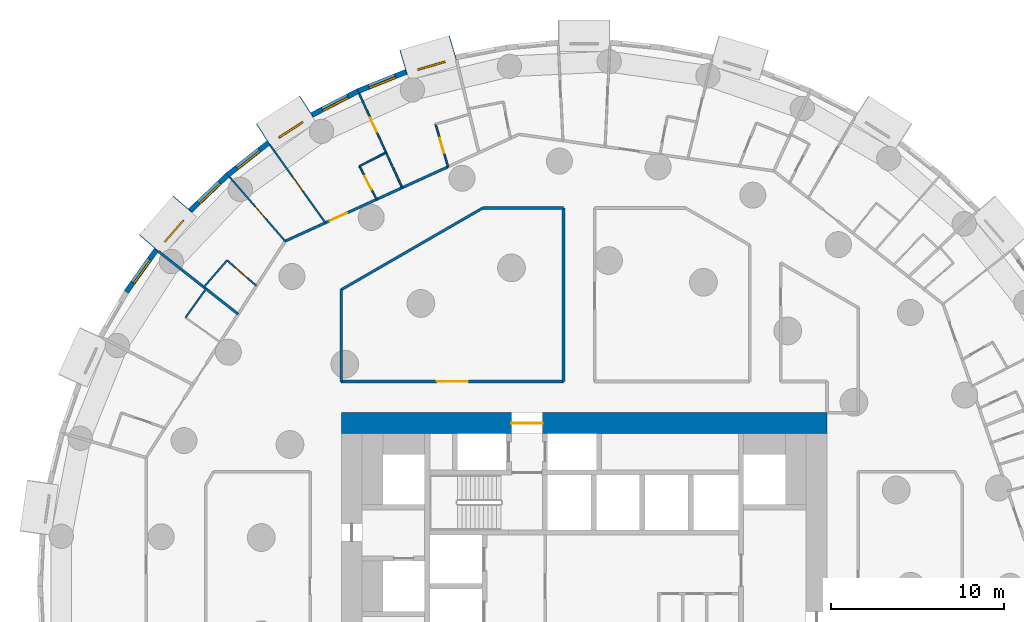
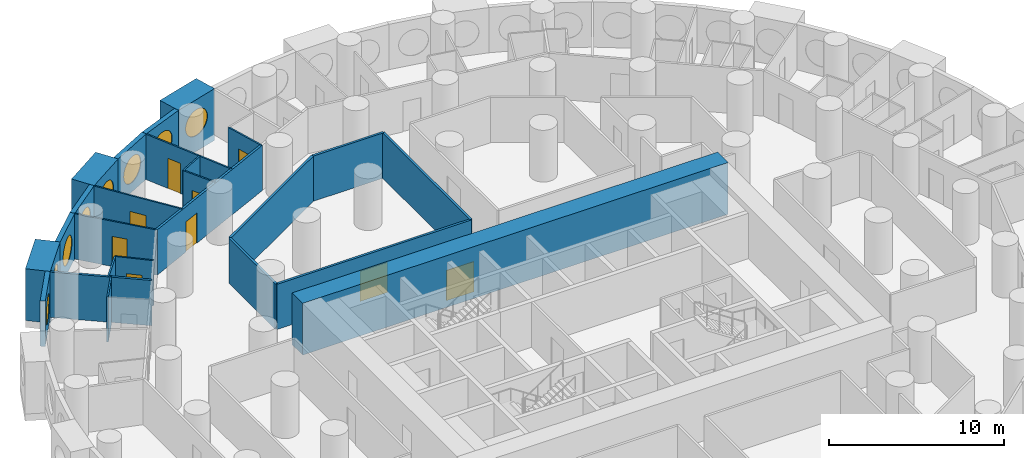
# One storey, part 7 of 12: 26 walls, 9 doors, 8 windows, 17 openings.
"""IFC4 building model written with IfcOpenShell, lengths in metres."""

from ifc_helpers import new_model, si_unit, direction, frame, frame_2d, origin, origin_2d, place, context, subcontext, project, spatial, rectangle, circle, extrude, material, layer, layer_set, type_object, element, fill, save


model = new_model("IFC4")

# Units and contexts
model_context = context("Model", 3, precision=1e-05, world=origin(), true_north=direction((0.0, 1.0)))
body_context = subcontext(model_context, "Body", "Model", "MODEL_VIEW")
ifc_project = project(units=[si_unit("LENGTHUNIT", "METRE"), si_unit("AREAUNIT", "SQUARE_METRE"), si_unit("VOLUMEUNIT", "CUBIC_METRE"), si_unit("PLANEANGLEUNIT", "RADIAN"), si_unit("MASSUNIT", "GRAM", prefix="KILO")], contexts=[model_context])

# Site, building, storey
site_placement = place(None, origin())
site = spatial("IfcSite", under=ifc_project, at=site_placement, CompositionType="ELEMENT")
building_placement = place(site_placement, origin())
building = spatial("IfcBuilding", under=site, at=building_placement, Name="Tracery Tower", CompositionType="ELEMENT")
storey_placement = place(building_placement, frame((0.0, 0.0, 46.199951171875)))
storey = spatial("IfcBuildingStorey", under=building, at=storey_placement, Name="L10", CompositionType="ELEMENT", Elevation=46.199951171875)

# Wall, opening, door
ifc_material_1 = material(Name="Concrete C60/75", Category="concrete")
ifc_layer_1 = layer(ifc_material_1, 1.199951171875)
ifc_layer_set_1 = layer_set([ifc_layer_1], Name="Core wall 1200 C60")
wall_type_1 = type_object("IfcWallType", Name="Core wall 1200 C60", PredefinedType="SOLIDWALL", material=ifc_layer_set_1)
wall_1_placement = place(storey_placement, frame((-14.0, 9.39990234375, 0.0), z_axis=(0.0, 0.0, 1.0), x_axis=(1.0, 0.0, 0.0)))
wall_1 = element("IfcWall", 1, at=wall_1_placement, inside=storey, type_object=wall_type_1, Name="L10 outer N", PredefinedType="SOLIDWALL", context=body_context, shape_type="SweptSolid", body=[
    extrude(rectangle(XDim=28.0, YDim=1.199951171875, at=frame_2d((14.0, 0.0))), origin(), (0.0, 0.0, 1.0), 3.60009765625),
])
opening_1_placement = place(wall_1_placement, frame((9.800048828125, 0.0, 0.0)))
opening_1 = element("IfcOpeningElement", 2, at=opening_1_placement, cuts=wall_1, Name="Opening KD13", PredefinedType="OPENING", context=body_context, shape_type="SweptSolid", body=[
    extrude(rectangle(XDim=1.800048828125, YDim=2.10009765625, at=frame_2d((0.89990234375, 1.050048828125))), frame((0.0, 0.60009765625, 0.0), z_axis=(0.0, -1.0, 0.0), x_axis=(1.0, 0.0, 0.0)), (0.0, 0.0, 1.0), 1.199951171875),
])
ifc_material_2 = material(Name="Steel fire door", Category="steel")
door_type_1 = type_object("IfcDoorType", Name="Core exit door 1800 double", OperationType="NOTDEFINED", PredefinedType="DOOR", material=ifc_material_2)
door_1_placement = place(opening_1_placement, origin())
door_1 = element("IfcDoor", 3, at=door_1_placement, inside=storey, type_object=door_type_1, Name="Core exit door", OperationType="DOUBLE_DOOR_SINGLE_SWING", OverallHeight=2.10009765625, OverallWidth=1.800048828125, PredefinedType="DOOR", context=body_context, shape_type="SweptSolid", body=[
    extrude(rectangle(XDim=1.800048828125, YDim=2.10009765625, at=frame_2d((0.89990234375, 1.050048828125))), frame((0.0, 0.02490234375, 0.0), z_axis=(0.0, -1.0, 0.0), x_axis=(1.0, 0.0, 0.0)), (0.0, 0.0, 1.0), 0.050048828125),
])
fill(opening_1, door_1)

# Wall, opening, window
ifc_material_3 = material(Name="Precast concrete C50/60", Category="concrete")
ifc_layer_2 = layer(ifc_material_3, 1.449951171875)
ifc_layer_set_2 = layer_set([ifc_layer_2], Name="Deep-set bay unit 3000 x 3600, slab edge 450")
wall_type_2 = type_object("IfcWallType", Name="Deep-set bay unit 3000 x 3600, slab edge 450", PredefinedType="ELEMENTEDWALL", material=ifc_layer_set_2)
wall_2_placement = place(storey_placement, frame((-7.552001953125, 31.043701171875, -0.449951171875), z_axis=(0.0, 0.0, 1.0), x_axis=(-0.959489813418, -0.281743319258, 0.0)))
wall_2 = element("IfcWall", 4, at=wall_2_placement, inside=storey, type_object=wall_type_2, Name="Deep-set bay unit 20 at L10", PredefinedType="ELEMENTEDWALL", context=body_context, shape_type="SweptSolid", body=[
    extrude(rectangle(XDim=3.0, YDim=1.449951171875, at=frame_2d((1.5, 0.0))), origin(), (0.0, 0.0, 1.0), 3.60009765625),
])
opening_2_placement = place(wall_2_placement, frame((1.5, 0.0, 2.0)))
opening_2 = element("IfcOpeningElement", 5, at=opening_2_placement, cuts=wall_2, Name="Opening WN1", PredefinedType="OPENING", context=body_context, shape_type="SweptSolid", body=[
    extrude(circle(Radius=0.9000244140625, at=origin_2d()), frame((0.0, 0.73486328125, 0.0), z_axis=(0.0, -1.0, 0.0), x_axis=(1.0, 0.0, 0.0)), (0.0, 0.0, 1.0), 1.469970703125),
])
ifc_material_4 = material(Name="Aluminium frame with tinted double glazing", Category="aluminium")
window_type = type_object("IfcWindowType", Name="Round window 1800", PartitioningType="SINGLE_PANEL", PredefinedType="WINDOW", material=ifc_material_4)
window_1_placement = place(opening_2_placement, origin())
window_1 = element("IfcWindow", 6, at=window_1_placement, inside=storey, type_object=window_type, Name="Round window 20 at L10", OverallHeight=1.800048828125, OverallWidth=1.800048828125, PartitioningType="SINGLE_PANEL", PredefinedType="WINDOW", context=body_context, shape_type="SweptSolid", body=[
    extrude(circle(Radius=0.9000244140625, at=origin_2d()), frame((0.0, 0.69482421875, 0.0), z_axis=(0.0, -1.0, 0.0), x_axis=(1.0, 0.0, 0.0)), (0.0, 0.0, 1.0), 0.10009765625),
])
fill(opening_2, window_1)

wall_3_placement = place(storey_placement, frame((-15.9921875, 27.65869140625, -0.449951171875), z_axis=(0.0, 0.0, 1.0), x_axis=(-0.841223422347, -0.540687667415, 0.0)))
wall_3 = element("IfcWall", 7, at=wall_3_placement, inside=storey, type_object=wall_type_2, Name="Deep-set bay unit 23 at L10", PredefinedType="ELEMENTEDWALL", context=body_context, shape_type="SweptSolid", body=[
    extrude(rectangle(XDim=3.0, YDim=1.449951171875, at=frame_2d((1.5, 0.0))), origin(), (0.0, 0.0, 1.0), 3.60009765625),
])
opening_3_placement = place(wall_3_placement, frame((1.5, 0.0, 2.0)))
opening_3 = element("IfcOpeningElement", 8, at=opening_3_placement, cuts=wall_3, Name="Opening WN1", PredefinedType="OPENING", context=body_context, shape_type="SweptSolid", body=[
    extrude(circle(Radius=0.9000244140625, at=origin_2d()), frame((0.0, 0.73486328125, 0.0), z_axis=(0.0, -1.0, 0.0), x_axis=(1.0, 0.0, 0.0)), (0.0, 0.0, 1.0), 1.469970703125),
])
window_2_placement = place(opening_3_placement, origin())
window_2 = element("IfcWindow", 9, at=window_2_placement, inside=storey, type_object=window_type, Name="Round window 23 at L10", OverallHeight=1.800048828125, OverallWidth=1.800048828125, PartitioningType="SINGLE_PANEL", PredefinedType="WINDOW", context=body_context, shape_type="SweptSolid", body=[
    extrude(circle(Radius=0.9000244140625, at=origin_2d()), frame((0.0, 0.69482421875, 0.0), z_axis=(0.0, -1.0, 0.0), x_axis=(1.0, 0.0, 0.0)), (0.0, 0.0, 1.0), 0.10009765625),
])
fill(opening_3, window_2)

wall_4_placement = place(storey_placement, frame((-23.13671875, 22.03271484375, -0.449951171875), z_axis=(0.0, 0.0, 1.0), x_axis=(-0.654890259022, -0.75572398972, 0.0)))
wall_4 = element("IfcWall", 10, at=wall_4_placement, inside=storey, type_object=wall_type_2, Name="Deep-set bay unit 26 at L10", PredefinedType="ELEMENTEDWALL", context=body_context, shape_type="SweptSolid", body=[
    extrude(rectangle(XDim=3.0, YDim=1.449951171875, at=frame_2d((1.5, 0.0))), origin(), (0.0, 0.0, 1.0), 3.60009765625),
])
opening_4_placement = place(wall_4_placement, frame((1.5, 0.0, 2.0)))
opening_4 = element("IfcOpeningElement", 11, at=opening_4_placement, cuts=wall_4, Name="Opening WN1", PredefinedType="OPENING", context=body_context, shape_type="SweptSolid", body=[
    extrude(circle(Radius=0.9000244140625, at=origin_2d()), frame((0.0, 0.73486328125, 0.0), z_axis=(0.0, -1.0, 0.0), x_axis=(1.0, 0.0, 0.0)), (0.0, 0.0, 1.0), 1.469970703125),
])
window_3_placement = place(opening_4_placement, origin())
window_3 = element("IfcWindow", 12, at=window_3_placement, inside=storey, type_object=window_type, Name="Round window 26 at L10", OverallHeight=1.800048828125, OverallWidth=1.800048828125, PartitioningType="SINGLE_PANEL", PredefinedType="WINDOW", context=body_context, shape_type="SweptSolid", body=[
    extrude(circle(Radius=0.9000244140625, at=origin_2d()), frame((0.0, 0.69482421875, 0.0), z_axis=(0.0, -1.0, 0.0), x_axis=(1.0, 0.0, 0.0)), (0.0, 0.0, 1.0), 0.10009765625),
])
fill(opening_4, window_3)

ifc_material_5 = material(Name="Precast concrete C50/60", Category="concrete")
ifc_layer_3 = layer(ifc_material_5, 0.300048828125)
ifc_layer_set_3 = layer_set([ifc_layer_3], Name="Facade panel 3000 x 3150")
wall_type_3 = type_object("IfcWallType", Name="Facade panel 3000 x 3150", PredefinedType="SOLIDWALL", material=ifc_layer_set_3)
wall_5_placement = place(storey_placement, frame((-10.26708984375, 29.646484375, 0.0), z_axis=(0.0, 0.0, 1.0), x_axis=(-0.928403213937, -0.371574316054, 0.0)))
wall_5 = element("IfcWall", 13, at=wall_5_placement, inside=storey, type_object=wall_type_3, Name="Facade panel 21 at L10", PredefinedType="SOLIDWALL", context=body_context, shape_type="SweptSolid", body=[
    extrude(rectangle(XDim=2.979736328125, YDim=0.300048828125, at=frame_2d((1.48974609375, 0.0))), origin(), (0.0, 0.0, 1.0), 3.150146484375),
])
opening_5_placement = place(wall_5_placement, frame((1.48974609375, 0.0, 1.5498046875)))
opening_5 = element("IfcOpeningElement", 14, at=opening_5_placement, cuts=wall_5, Name="Opening WN1", PredefinedType="OPENING", context=body_context, shape_type="SweptSolid", body=[
    extrude(circle(Radius=0.9000244140625, at=origin_2d()), frame((0.0, 0.159912109375, 0.0), z_axis=(0.0, -1.0, 0.0), x_axis=(1.0, 0.0, 0.0)), (0.0, 0.0, 1.0), 0.320068359375),
])
window_4_placement = place(opening_5_placement, origin())
window_4 = element("IfcWindow", 15, at=window_4_placement, inside=storey, type_object=window_type, Name="Round window 21 at L10", OverallHeight=1.800048828125, OverallWidth=1.800048828125, PartitioningType="SINGLE_PANEL", PredefinedType="WINDOW", context=body_context, shape_type="SweptSolid", body=[
    extrude(circle(Radius=0.9000244140625, at=origin_2d()), frame((0.0, 0.1201171875, 0.0), z_axis=(0.0, -1.0, 0.0), x_axis=(1.0, 0.0, 0.0)), (0.0, 0.0, 1.0), 0.10009765625),
])
fill(opening_5, window_4)

wall_6_placement = place(storey_placement, frame((-13.033447265625, 28.539306640625, 0.0), z_axis=(0.0, 0.0, 1.0), x_axis=(-0.888819853856, -0.458256770153, 0.0)))
wall_6 = element("IfcWall", 16, at=wall_6_placement, inside=storey, type_object=wall_type_3, Name="Facade panel 22 at L10", PredefinedType="SOLIDWALL", context=body_context, shape_type="SweptSolid", body=[
    extrude(rectangle(XDim=2.979736328125, YDim=0.300048828125, at=frame_2d((1.48974609375, 0.0))), origin(), (0.0, 0.0, 1.0), 3.150146484375),
])
opening_6_placement = place(wall_6_placement, frame((1.48974609375, 0.0, 1.5498046875)))
opening_6 = element("IfcOpeningElement", 17, at=opening_6_placement, cuts=wall_6, Name="Opening WN1", PredefinedType="OPENING", context=body_context, shape_type="SweptSolid", body=[
    extrude(circle(Radius=0.9000244140625, at=origin_2d()), frame((0.0, 0.159912109375, 0.0), z_axis=(0.0, -1.0, 0.0), x_axis=(1.0, 0.0, 0.0)), (0.0, 0.0, 1.0), 0.320068359375),
])
window_5_placement = place(opening_6_placement, origin())
window_5 = element("IfcWindow", 18, at=window_5_placement, inside=storey, type_object=window_type, Name="Round window 22 at L10", OverallHeight=1.800048828125, OverallWidth=1.800048828125, PartitioningType="SINGLE_PANEL", PredefinedType="WINDOW", context=body_context, shape_type="SweptSolid", body=[
    extrude(circle(Radius=0.9000244140625, at=origin_2d()), frame((0.0, 0.1201171875, 0.0), z_axis=(0.0, -1.0, 0.0), x_axis=(1.0, 0.0, 0.0)), (0.0, 0.0, 1.0), 0.10009765625),
])
fill(opening_6, window_5)

wall_7_placement = place(storey_placement, frame((-18.20361328125, 25.55322265625, 0.0), z_axis=(0.0, 0.0, 1.0), x_axis=(-0.786045331304, -0.618168858108, 0.0)))
wall_7 = element("IfcWall", 19, at=wall_7_placement, inside=storey, type_object=wall_type_3, Name="Facade panel 24 at L10", PredefinedType="SOLIDWALL", context=body_context, shape_type="SweptSolid", body=[
    extrude(rectangle(XDim=2.979736328125, YDim=0.300048828125, at=frame_2d((1.48974609375, 0.0))), origin(), (0.0, 0.0, 1.0), 3.150146484375),
])
opening_7_placement = place(wall_7_placement, frame((1.48974609375, 0.0, 1.5498046875)))
opening_7 = element("IfcOpeningElement", 20, at=opening_7_placement, cuts=wall_7, Name="Opening WN1", PredefinedType="OPENING", context=body_context, shape_type="SweptSolid", body=[
    extrude(circle(Radius=0.9000244140625, at=origin_2d()), frame((0.0, 0.159912109375, 0.0), z_axis=(0.0, -1.0, 0.0), x_axis=(1.0, 0.0, 0.0)), (0.0, 0.0, 1.0), 0.320068359375),
])
window_6_placement = place(opening_7_placement, origin())
window_6 = element("IfcWindow", 21, at=window_6_placement, inside=storey, type_object=window_type, Name="Round window 24 at L10", OverallHeight=1.800048828125, OverallWidth=1.800048828125, PartitioningType="SINGLE_PANEL", PredefinedType="WINDOW", context=body_context, shape_type="SweptSolid", body=[
    extrude(circle(Radius=0.9000244140625, at=origin_2d()), frame((0.0, 0.1201171875, 0.0), z_axis=(0.0, -1.0, 0.0), x_axis=(1.0, 0.0, 0.0)), (0.0, 0.0, 1.0), 0.10009765625),
])
fill(opening_7, window_6)

wall_8_placement = place(storey_placement, frame((-20.5458984375, 23.711181640625, 0.0), z_axis=(0.0, 0.0, 1.0), x_axis=(-0.723744206617, -0.690068346896, 0.0)))
wall_8 = element("IfcWall", 22, at=wall_8_placement, inside=storey, type_object=wall_type_3, Name="Facade panel 25 at L10", PredefinedType="SOLIDWALL", context=body_context, shape_type="SweptSolid", body=[
    extrude(rectangle(XDim=2.979736328125, YDim=0.300048828125, at=frame_2d((1.48974609375, 0.0))), origin(), (0.0, 0.0, 1.0), 3.150146484375),
])
opening_8_placement = place(wall_8_placement, frame((1.48974609375, 0.0, 1.5498046875)))
opening_8 = element("IfcOpeningElement", 23, at=opening_8_placement, cuts=wall_8, Name="Opening WN1", PredefinedType="OPENING", context=body_context, shape_type="SweptSolid", body=[
    extrude(circle(Radius=0.9000244140625, at=origin_2d()), frame((0.0, 0.159912109375, 0.0), z_axis=(0.0, -1.0, 0.0), x_axis=(1.0, 0.0, 0.0)), (0.0, 0.0, 1.0), 0.320068359375),
])
window_7_placement = place(opening_8_placement, origin())
window_7 = element("IfcWindow", 24, at=window_7_placement, inside=storey, type_object=window_type, Name="Round window 25 at L10", OverallHeight=1.800048828125, OverallWidth=1.800048828125, PartitioningType="SINGLE_PANEL", PredefinedType="WINDOW", context=body_context, shape_type="SweptSolid", body=[
    extrude(circle(Radius=0.9000244140625, at=origin_2d()), frame((0.0, 0.1201171875, 0.0), z_axis=(0.0, -1.0, 0.0), x_axis=(1.0, 0.0, 0.0)), (0.0, 0.0, 1.0), 0.10009765625),
])
fill(opening_8, window_7)

wall_9_placement = place(storey_placement, frame((-24.66552734375, 19.389404296875, 0.0), z_axis=(0.0, 0.0, 1.0), x_axis=(-0.580059407678, -0.81457417315, 0.0)))
wall_9 = element("IfcWall", 25, at=wall_9_placement, inside=storey, type_object=wall_type_3, Name="Facade panel 27 at L10", PredefinedType="SOLIDWALL", context=body_context, shape_type="SweptSolid", body=[
    extrude(rectangle(XDim=2.9794921875, YDim=0.300048828125, at=frame_2d((1.48974609375, 0.0))), origin(), (0.0, 0.0, 1.0), 3.150146484375),
])
opening_9_placement = place(wall_9_placement, frame((1.48974609375, 0.0, 1.5498046875)))
opening_9 = element("IfcOpeningElement", 26, at=opening_9_placement, cuts=wall_9, Name="Opening WN1", PredefinedType="OPENING", context=body_context, shape_type="SweptSolid", body=[
    extrude(circle(Radius=0.9000244140625, at=origin_2d()), frame((0.0, 0.159912109375, 0.0), z_axis=(0.0, -1.0, 0.0), x_axis=(1.0, 0.0, 0.0)), (0.0, 0.0, 1.0), 0.320068359375),
])
window_8_placement = place(opening_9_placement, origin())
window_8 = element("IfcWindow", 27, at=window_8_placement, inside=storey, type_object=window_type, Name="Round window 27 at L10", OverallHeight=1.800048828125, OverallWidth=1.800048828125, PartitioningType="SINGLE_PANEL", PredefinedType="WINDOW", context=body_context, shape_type="SweptSolid", body=[
    extrude(circle(Radius=0.9000244140625, at=origin_2d()), frame((0.0, 0.1201171875, 0.0), z_axis=(0.0, -1.0, 0.0), x_axis=(1.0, 0.0, 0.0)), (0.0, 0.0, 1.0), 0.10009765625),
])
fill(opening_9, window_8)

# Wall, opening, door
ifc_material_6 = material(Name="Plasterboard on steel studs", Category="steel")
ifc_layer_4 = layer(ifc_material_6, 0.10009765625)
ifc_layer_set_4 = layer_set([ifc_layer_4], Name="Partition 100 stud")
wall_type_4 = type_object("IfcWallType", Name="Partition 100 stud", PredefinedType="PARTITIONING", material=ifc_layer_set_4)
wall_10_placement = place(storey_placement, frame((-18.112060546875, 25.43505859375, 0.0), z_axis=(0.0, 0.0, 1.0), x_axis=(0.580004598464, -0.81461320009, 0.0)))
wall_10 = element("IfcWall", 28, at=wall_10_placement, inside=storey, type_object=wall_type_4, Name="Stud partition RA2-101", PredefinedType="PARTITIONING", context=body_context, shape_type="SweptSolid", body=[
    extrude(rectangle(XDim=5.507080078125, YDim=0.10009765625, at=frame_2d((2.75341796875, 0.0))), origin(), (0.0, 0.0, 1.0), 3.150146484375),
])
opening_10_placement = place(wall_10_placement, frame((2.25390625, 0.0, 0.0)))
opening_10 = element("IfcOpeningElement", 29, at=opening_10_placement, cuts=wall_10, Name="Opening RA2-35", PredefinedType="OPENING", context=body_context, shape_type="SweptSolid", body=[
    extrude(rectangle(XDim=1.0, YDim=2.0400390625, at=frame_2d((0.5, 1.02001953125))), frame((0.0, 0.050048828125, 0.0), z_axis=(0.0, -1.0, 0.0), x_axis=(1.0, 0.0, 0.0)), (0.0, 0.0, 1.0), 0.10009765625),
])
ifc_material_7 = material(Name="Timber door leaf", Category="wood")
door_type_2 = type_object("IfcDoorType", Name="Door communal room 1000", OperationType="NOTDEFINED", PredefinedType="DOOR", material=ifc_material_7)
door_2_placement = place(opening_10_placement, origin())
door_2 = element("IfcDoor", 30, at=door_2_placement, inside=storey, type_object=door_type_2, Name="Communal room door RA2-35", OperationType="SINGLE_SWING_LEFT", OverallHeight=2.0400390625, OverallWidth=1.0, PredefinedType="DOOR", context=body_context, shape_type="SweptSolid", body=[
    extrude(rectangle(XDim=1.0, YDim=2.0400390625, at=frame_2d((0.5, 1.02001953125))), frame((0.0, 0.02490234375, 0.0), z_axis=(0.0, -1.0, 0.0), x_axis=(1.0, 0.0, 0.0)), (0.0, 0.0, 1.0), 0.050048828125),
])
fill(opening_10, door_2)

wall_11_placement = place(storey_placement, frame((-12.970947265625, 28.403076171875, 0.0), z_axis=(0.0, 0.0, 1.0), x_axis=(0.415455663581, -0.909613429759, 0.0)))
wall_11 = element("IfcWall", 31, at=wall_11_placement, inside=storey, type_object=wall_type_4, Name="Stud partition RA2-104", PredefinedType="PARTITIONING", context=body_context, shape_type="SweptSolid", body=[
    extrude(rectangle(XDim=3.738037109375, YDim=0.10009765625, at=frame_2d((1.869140625, 0.0))), origin(), (0.0, 0.0, 1.0), 3.150146484375),
])
opening_11_placement = place(wall_11_placement, frame((1.541015625, 0.0, 0.0)))
opening_11 = element("IfcOpeningElement", 32, at=opening_11_placement, cuts=wall_11, Name="Opening RA2-37", PredefinedType="OPENING", context=body_context, shape_type="SweptSolid", body=[
    extrude(rectangle(XDim=0.89990234375, YDim=2.10009765625, at=frame_2d((0.449951171875, 1.050048828125))), frame((0.0, 0.050048828125, 0.0), z_axis=(0.0, -1.0, 0.0), x_axis=(1.0, 0.0, 0.0)), (0.0, 0.0, 1.0), 0.10009765625),
])
ifc_material_8 = material(Name="Timber door leaf", Category="wood")
door_type_3 = type_object("IfcDoorType", Name="Door bedroom 900", OperationType="NOTDEFINED", PredefinedType="DOOR", material=ifc_material_8)
door_3_placement = place(opening_11_placement, origin())
door_3 = element("IfcDoor", 33, at=door_3_placement, inside=storey, type_object=door_type_3, Name="Bedroom door RA2-37", OperationType="SINGLE_SWING_RIGHT", OverallHeight=2.10009765625, OverallWidth=0.89990234375, PredefinedType="DOOR", context=body_context, shape_type="SweptSolid", body=[
    extrude(rectangle(XDim=0.89990234375, YDim=2.10009765625, at=frame_2d((0.449951171875, 1.050048828125))), frame((0.0, 0.02490234375, 0.0), z_axis=(0.0, -1.0, 0.0), x_axis=(1.0, 0.0, 0.0)), (0.0, 0.0, 1.0), 0.050048828125),
])
fill(opening_11, door_3)

wall_12_placement = place(storey_placement, frame((-20.447998046875, 23.597900390625, 0.0), z_axis=(0.0, 0.0, 1.0), x_axis=(0.654847179409, -0.755761319214, 0.0)))
wall_12 = element("IfcWall", 34, at=wall_12_placement, inside=storey, type_object=wall_type_4, Name="Stud partition RA2-105", PredefinedType="PARTITIONING", context=body_context, shape_type="SweptSolid", body=[
    extrude(rectangle(XDim=4.90625, YDim=0.10009765625, at=frame_2d((2.453125, 0.0))), origin(), (0.0, 0.0, 1.0), 3.150146484375),
])
opening_12_placement = place(wall_12_placement, frame((2.2724609375, 0.0, 0.0)))
opening_12 = element("IfcOpeningElement", 35, at=opening_12_placement, cuts=wall_12, Name="Opening RA2-39", PredefinedType="OPENING", context=body_context, shape_type="SweptSolid", body=[
    extrude(rectangle(XDim=0.89990234375, YDim=2.10009765625, at=frame_2d((0.449951171875, 1.050048828125))), frame((0.0, 0.050048828125, 0.0), z_axis=(0.0, -1.0, 0.0), x_axis=(1.0, 0.0, 0.0)), (0.0, 0.0, 1.0), 0.10009765625),
])
door_4_placement = place(opening_12_placement, origin())
door_4 = element("IfcDoor", 36, at=door_4_placement, inside=storey, type_object=door_type_3, Name="Bedroom door RA2-39", OperationType="SINGLE_SWING_LEFT", OverallHeight=2.10009765625, OverallWidth=0.89990234375, PredefinedType="DOOR", context=body_context, shape_type="SweptSolid", body=[
    extrude(rectangle(XDim=0.89990234375, YDim=2.10009765625, at=frame_2d((0.449951171875, 1.050048828125))), frame((0.0, 0.02490234375, 0.0), z_axis=(0.0, -1.0, 0.0), x_axis=(1.0, 0.0, 0.0)), (0.0, 0.0, 1.0), 0.050048828125),
])
fill(opening_12, door_4)

# Wall
ifc_material_9 = material(Name="Plasterboard on steel studs", Category="steel")
ifc_layer_5 = layer(ifc_material_9, 0.10009765625)
ifc_layer_set_5 = layer_set([ifc_layer_5], Name="Partition 100 wet wall")
wall_type_5 = type_object("IfcWallType", Name="Partition 100 wet wall", PredefinedType="PARTITIONING", material=ifc_layer_set_5)
wall_13_placement = place(storey_placement, frame((-12.948974609375, 24.214111328125, 0.0), z_axis=(0.0, 0.0, 1.0), x_axis=(0.888946574069, 0.458010904292, 0.0)))
element("IfcWall", 37, at=wall_13_placement, inside=storey, type_object=wall_type_5, Name="Wet wall RA2-102", PredefinedType="PARTITIONING", context=body_context, shape_type="SweptSolid", body=[
    extrude(rectangle(XDim=1.72216796875, YDim=0.10009765625, at=frame_2d((0.861083984375, 0.0))), origin(), (0.0, 0.0, 1.0), 3.150146484375),
])

# Wall, opening, door
wall_14_placement = place(storey_placement, frame((-12.948974609375, 24.214111328125, 0.0), z_axis=(0.0, 0.0, 1.0), x_axis=(0.458149254338, -0.888875278512, 0.0)))
wall_14 = element("IfcWall", 38, at=wall_14_placement, inside=storey, type_object=wall_type_5, Name="Wet wall RA2-103", PredefinedType="PARTITIONING", context=body_context, shape_type="SweptSolid", body=[
    extrude(rectangle(XDim=2.154541015625, YDim=0.10009765625, at=frame_2d((1.0771484375, 0.0))), origin(), (0.0, 0.0, 1.0), 3.150146484375),
])
opening_13_placement = place(wall_14_placement, frame((0.626953125, 0.0, 0.0)))
opening_13 = element("IfcOpeningElement", 39, at=opening_13_placement, cuts=wall_14, Name="Opening RA2-36", PredefinedType="OPENING", context=body_context, shape_type="SweptSolid", body=[
    extrude(rectangle(XDim=0.89990234375, YDim=2.0, at=frame_2d((0.449951171875, 1.0))), frame((0.0, 0.050048828125, 0.0), z_axis=(0.0, -1.0, 0.0), x_axis=(1.0, 0.0, 0.0)), (0.0, 0.0, 1.0), 0.10009765625),
])
ifc_material_10 = material(Name="Timber door leaf", Category="wood")
door_type_4 = type_object("IfcDoorType", Name="Door shower room 900", OperationType="NOTDEFINED", PredefinedType="DOOR", material=ifc_material_10)
door_5_placement = place(opening_13_placement, origin())
door_5 = element("IfcDoor", 40, at=door_5_placement, inside=storey, type_object=door_type_4, Name="Shower room door RA2-36", OperationType="SINGLE_SWING_LEFT", OverallHeight=2.0, OverallWidth=0.89990234375, PredefinedType="DOOR", context=body_context, shape_type="SweptSolid", body=[
    extrude(rectangle(XDim=0.89990234375, YDim=2.0, at=frame_2d((0.449951171875, 1.0))), frame((0.0, 0.02490234375, 0.0), z_axis=(0.0, -1.0, 0.0), x_axis=(1.0, 0.0, 0.0)), (0.0, 0.0, 1.0), 0.050048828125),
])
fill(opening_13, door_5)

# Wall
wall_15_placement = place(storey_placement, frame((-11.41796875, 25.0029296875, 0.0), z_axis=(0.0, 0.0, 1.0), x_axis=(0.415416212057, -0.909631447764, 0.0)))
element("IfcWall", 41, at=wall_15_placement, inside=storey, type_object=wall_type_5, Name="Wet wall RA2-106", PredefinedType="PARTITIONING", context=body_context, shape_type="SweptSolid", body=[
    extrude(rectangle(XDim=2.23388671875, YDim=0.10009765625, at=frame_2d((1.116943359375, 0.0))), origin(), (0.0, 0.0, 1.0), 3.150146484375),
])

# Wall, opening, door
wall_16_placement = place(storey_placement, frame((-8.56494140625, 26.634033203125, 0.0), z_axis=(0.0, 0.0, 1.0), x_axis=(0.281758205139, -0.959485442222, 0.0)))
wall_16 = element("IfcWall", 42, at=wall_16_placement, inside=storey, type_object=wall_type_5, Name="Wet wall RA2-108", PredefinedType="PARTITIONING", context=body_context, shape_type="SweptSolid", body=[
    extrude(rectangle(XDim=2.558837890625, YDim=0.10009765625, at=frame_2d((1.279296875, 0.0))), origin(), (0.0, 0.0, 1.0), 3.150146484375),
])
opening_14_placement = place(wall_16_placement, frame((0.8291015625, 0.0, 0.0)))
opening_14 = element("IfcOpeningElement", 43, at=opening_14_placement, cuts=wall_16, Name="Opening RA2-38", PredefinedType="OPENING", context=body_context, shape_type="SweptSolid", body=[
    extrude(rectangle(XDim=0.89990234375, YDim=2.0400390625, at=frame_2d((0.449951171875, 1.02001953125))), frame((0.0, 0.050048828125, 0.0), z_axis=(0.0, -1.0, 0.0), x_axis=(1.0, 0.0, 0.0)), (0.0, 0.0, 1.0), 0.10009765625),
])
ifc_material_11 = material(Name="Timber door leaf", Category="wood")
door_type_5 = type_object("IfcDoorType", Name="Door en-suite 900", OperationType="NOTDEFINED", PredefinedType="DOOR", material=ifc_material_11)
door_6_placement = place(opening_14_placement, origin())
door_6 = element("IfcDoor", 44, at=door_6_placement, inside=storey, type_object=door_type_5, Name="En-suite door RA2-38", OperationType="SINGLE_SWING_LEFT", OverallHeight=2.0400390625, OverallWidth=0.89990234375, PredefinedType="DOOR", context=body_context, shape_type="SweptSolid", body=[
    extrude(rectangle(XDim=0.89990234375, YDim=2.0400390625, at=frame_2d((0.449951171875, 1.02001953125))), frame((0.0, 0.02490234375, 0.0), z_axis=(0.0, -1.0, 0.0), x_axis=(1.0, 0.0, 0.0)), (0.0, 0.0, 1.0), 0.050048828125),
])
fill(opening_14, door_6)

wall_17_placement = place(storey_placement, frame((-20.5849609375, 18.781982421875, 0.0), z_axis=(0.0, 0.0, 1.0), x_axis=(0.755685488978, -0.6549346851, 0.0)))
wall_17 = element("IfcWall", 45, at=wall_17_placement, inside=storey, type_object=wall_type_5, Name="Wet wall RA2-109", PredefinedType="PARTITIONING", context=body_context, shape_type="SweptSolid", body=[
    extrude(rectangle(XDim=2.241455078125, YDim=0.10009765625, at=frame_2d((1.12060546875, 0.0))), origin(), (0.0, 0.0, 1.0), 3.150146484375),
])
opening_15_placement = place(wall_17_placement, frame((0.670654296875, 0.0, 0.0)))
opening_15 = element("IfcOpeningElement", 46, at=opening_15_placement, cuts=wall_17, Name="Opening RA2-40", PredefinedType="OPENING", context=body_context, shape_type="SweptSolid", body=[
    extrude(rectangle(XDim=0.89990234375, YDim=2.0400390625, at=frame_2d((0.449951171875, 1.02001953125))), frame((0.0, 0.050048828125, 0.0), z_axis=(0.0, -1.0, 0.0), x_axis=(1.0, 0.0, 0.0)), (0.0, 0.0, 1.0), 0.10009765625),
])
door_7_placement = place(opening_15_placement, origin())
door_7 = element("IfcDoor", 47, at=door_7_placement, inside=storey, type_object=door_type_5, Name="En-suite door RA2-40", OperationType="SINGLE_SWING_RIGHT", OverallHeight=2.0400390625, OverallWidth=0.89990234375, PredefinedType="DOOR", context=body_context, shape_type="SweptSolid", body=[
    extrude(rectangle(XDim=0.89990234375, YDim=2.0400390625, at=frame_2d((0.449951171875, 1.02001953125))), frame((0.0, 0.02490234375, 0.0), z_axis=(0.0, -1.0, 0.0), x_axis=(1.0, 0.0, 0.0)), (0.0, 0.0, 1.0), 0.050048828125),
])
fill(opening_15, door_7)

# Walls
wall_18_placement = place(storey_placement, frame((-21.922119140625, 17.239013671875, 0.0), z_axis=(0.0, 0.0, 1.0), x_axis=(0.654907776539, 0.755708809152, 0.0)))
element("IfcWall", 48, at=wall_18_placement, inside=storey, type_object=wall_type_5, Name="Wet wall RA2-110", PredefinedType="PARTITIONING", context=body_context, shape_type="SweptSolid", body=[
    extrude(rectangle(XDim=2.041748046875, YDim=0.10009765625, at=frame_2d((1.02099609375, 0.0))), origin(), (0.0, 0.0, 1.0), 3.150146484375),
])
wall_19_placement = place(storey_placement, frame((-22.97802734375, 15.486083984375, 0.0), z_axis=(0.0, 0.0, 1.0), x_axis=(0.580283748447, 0.814414373208, 0.0)))
element("IfcWall", 49, at=wall_19_placement, inside=storey, type_object=wall_type_5, Name="Wet wall RA2-112", PredefinedType="PARTITIONING", context=body_context, shape_type="SweptSolid", body=[
    extrude(rectangle(XDim=2.033447265625, YDim=0.10009765625, at=frame_2d((1.0166015625, 0.0))), origin(), (0.0, 0.0, 1.0), 3.150146484375),
])
ifc_material_12 = material(Name="Plasterboard on steel studs", Category="steel")
ifc_layer_6 = layer(ifc_material_12, 0.14990234375)
ifc_layer_set_6 = layer_set([ifc_layer_6], Name="Partition 150 acoustic unit wall")
wall_type_6 = type_object("IfcWallType", Name="Partition 150 acoustic unit wall", PredefinedType="PARTITIONING", material=ifc_layer_set_6)
wall_20_placement = place(storey_placement, frame((-24.5439453125, 19.302001953125, 0.0), z_axis=(0.0, 0.0, 1.0), x_axis=(0.785905950196, -0.618346049916, 0.0)))
element("IfcWall", 50, at=wall_20_placement, inside=storey, type_object=wall_type_6, Name="Unit wall RA2-111", PredefinedType="PARTITIONING", context=body_context, shape_type="SweptSolid", body=[
    extrude(rectangle(XDim=5.857177734375, YDim=0.14990234375, at=frame_2d((2.9287109375, 0.0))), origin(), (0.0, 0.0, 1.0), 3.150146484375),
])

# Wall, opening, door
ifc_material_13 = material(Name="Plasterboard on steel studs", Category="steel")
ifc_layer_7 = layer(ifc_material_13, 0.14990234375)
ifc_layer_set_7 = layer_set([ifc_layer_7], Name="Partition 150 corridor wall")
wall_type_7 = type_object("IfcWallType", Name="Partition 150 corridor wall", PredefinedType="PARTITIONING", material=ifc_layer_set_7)
wall_21_placement = place(storey_placement, frame((-14.00390625, 11.800048828125, 0.0), z_axis=(0.0, 0.0, 1.0), x_axis=(1.0, 0.0, 0.0)))
wall_21 = element("IfcWall", 51, at=wall_21_placement, inside=storey, type_object=wall_type_7, Name="Corridor wall RA2-001", PredefinedType="PARTITIONING", context=body_context, shape_type="SweptSolid", body=[
    extrude(rectangle(XDim=12.81591796875, YDim=0.14990234375, at=frame_2d((6.407958984375, 0.0))), origin(), (0.0, 0.0, 1.0), 3.150146484375),
])
opening_16_placement = place(wall_21_placement, frame((5.508056640625, 0.0, 0.0)))
opening_16 = element("IfcOpeningElement", 52, at=opening_16_placement, cuts=wall_21, Name="Opening RA2-01", PredefinedType="OPENING", context=body_context, shape_type="SweptSolid", body=[
    extrude(rectangle(XDim=1.800048828125, YDim=2.10009765625, at=frame_2d((0.89990234375, 1.050048828125))), frame((0.0, 0.074951171875, 0.0), z_axis=(0.0, -1.0, 0.0), x_axis=(1.0, 0.0, 0.0)), (0.0, 0.0, 1.0), 0.14990234375),
])
ifc_material_14 = material(Name="Timber door leaf", Category="wood")
door_type_6 = type_object("IfcDoorType", Name="Door double lounge 1800", OperationType="NOTDEFINED", PredefinedType="DOOR", material=ifc_material_14)
door_8_placement = place(opening_16_placement, origin())
door_8 = element("IfcDoor", 53, at=door_8_placement, inside=storey, type_object=door_type_6, Name="Double lounge door RA2-01", OperationType="DOUBLE_DOOR_SINGLE_SWING", OverallHeight=2.10009765625, OverallWidth=1.800048828125, PredefinedType="DOOR", context=body_context, shape_type="SweptSolid", body=[
    extrude(rectangle(XDim=1.800048828125, YDim=2.10009765625, at=frame_2d((0.89990234375, 1.050048828125))), frame((0.0, 0.02490234375, 0.0), z_axis=(0.0, -1.0, 0.0), x_axis=(1.0, 0.0, 0.0)), (0.0, 0.0, 1.0), 0.050048828125),
])
fill(opening_16, door_8)

# Walls
wall_22_placement = place(storey_placement, frame((-1.19189453125, 11.800048828125, 0.0), z_axis=(0.0, 0.0, 1.0), x_axis=(0.0, 1.0, 0.0)))
element("IfcWall", 54, at=wall_22_placement, inside=storey, type_object=wall_type_7, Name="Corridor wall RA2-024", PredefinedType="PARTITIONING", context=body_context, shape_type="SweptSolid", body=[
    extrude(rectangle(XDim=10.001953125, YDim=0.14990234375, at=frame_2d((5.0009765625, 0.0))), origin(), (0.0, 0.0, 1.0), 3.150146484375),
])
wall_23_placement = place(storey_placement, frame((-5.842041015625, 21.802001953125, 0.0), z_axis=(0.0, 0.0, 1.0), x_axis=(1.0, 0.0, 0.0)))
element("IfcWall", 55, at=wall_23_placement, inside=storey, type_object=wall_type_7, Name="Corridor wall RA2-025", PredefinedType="PARTITIONING", context=body_context, shape_type="SweptSolid", body=[
    extrude(rectangle(XDim=4.650146484375, YDim=0.14990234375, at=frame_2d((2.3251953125, 0.0))), origin(), (0.0, 0.0, 1.0), 3.150146484375),
])
wall_24_placement = place(storey_placement, frame((-14.0, 17.092041015625, 0.0), z_axis=(0.0, 0.0, 1.0), x_axis=(0.86602719091, 0.499996904595, 0.0)))
element("IfcWall", 56, at=wall_24_placement, inside=storey, type_object=wall_type_7, Name="Corridor wall RA2-026", PredefinedType="PARTITIONING", context=body_context, shape_type="SweptSolid", body=[
    extrude(rectangle(XDim=9.419921875, YDim=0.14990234375, at=frame_2d((4.7099609375, 0.0))), origin(), (0.0, 0.0, 1.0), 3.150146484375),
])
wall_25_placement = place(storey_placement, frame((-14.0, 11.800048828125, 0.0), z_axis=(0.0, 0.0, 1.0), x_axis=(0.0, 1.0, 0.0)))
element("IfcWall", 57, at=wall_25_placement, inside=storey, type_object=wall_type_7, Name="Corridor wall RA2-027", PredefinedType="PARTITIONING", context=body_context, shape_type="SweptSolid", body=[
    extrude(rectangle(XDim=5.2919921875, YDim=0.14990234375, at=frame_2d((2.64599609375, 0.0))), origin(), (0.0, 0.0, 1.0), 3.150146484375),
])

# Wall, opening, door
wall_26_placement = place(storey_placement, frame((-17.235107421875, 19.890380859375, 0.0), z_axis=(0.0, 0.0, 1.0), x_axis=(0.909655192768, 0.415364213999, 0.0)))
wall_26 = element("IfcWall", 58, at=wall_26_placement, inside=storey, type_object=wall_type_7, Name="Corridor wall RA2-036", PredefinedType="PARTITIONING", context=body_context, shape_type="SweptSolid", body=[
    extrude(rectangle(XDim=10.328369140625, YDim=0.14990234375, at=frame_2d((5.1640625, 0.0))), origin(), (0.0, 0.0, 1.0), 3.150146484375),
])
opening_17_placement = place(wall_26_placement, frame((2.822998046875, 0.0, 0.0)))
opening_17 = element("IfcOpeningElement", 59, at=opening_17_placement, cuts=wall_26, Name="Opening RA2-34", PredefinedType="OPENING", context=body_context, shape_type="SweptSolid", body=[
    extrude(rectangle(XDim=1.10009765625, YDim=2.10009765625, at=frame_2d((0.550048828125, 1.050048828125))), frame((0.0, 0.074951171875, 0.0), z_axis=(0.0, -1.0, 0.0), x_axis=(1.0, 0.0, 0.0)), (0.0, 0.0, 1.0), 0.14990234375),
])
ifc_material_15 = material(Name="Timber door leaf", Category="wood")
door_type_7 = type_object("IfcDoorType", Name="Door cluster entrance 1100", OperationType="NOTDEFINED", PredefinedType="DOOR", material=ifc_material_15)
door_9_placement = place(opening_17_placement, origin())
door_9 = element("IfcDoor", 60, at=door_9_placement, inside=storey, type_object=door_type_7, Name="Cluster entrance door RA2-34", OperationType="SINGLE_SWING_LEFT", OverallHeight=2.10009765625, OverallWidth=1.10009765625, PredefinedType="DOOR", context=body_context, shape_type="SweptSolid", body=[
    extrude(rectangle(XDim=1.10009765625, YDim=2.10009765625, at=frame_2d((0.550048828125, 1.050048828125))), frame((0.0, 0.02490234375, 0.0), z_axis=(0.0, -1.0, 0.0), x_axis=(1.0, 0.0, 0.0)), (0.0, 0.0, 1.0), 0.050048828125),
])
fill(opening_17, door_9)

save(model, "model.ifc")
